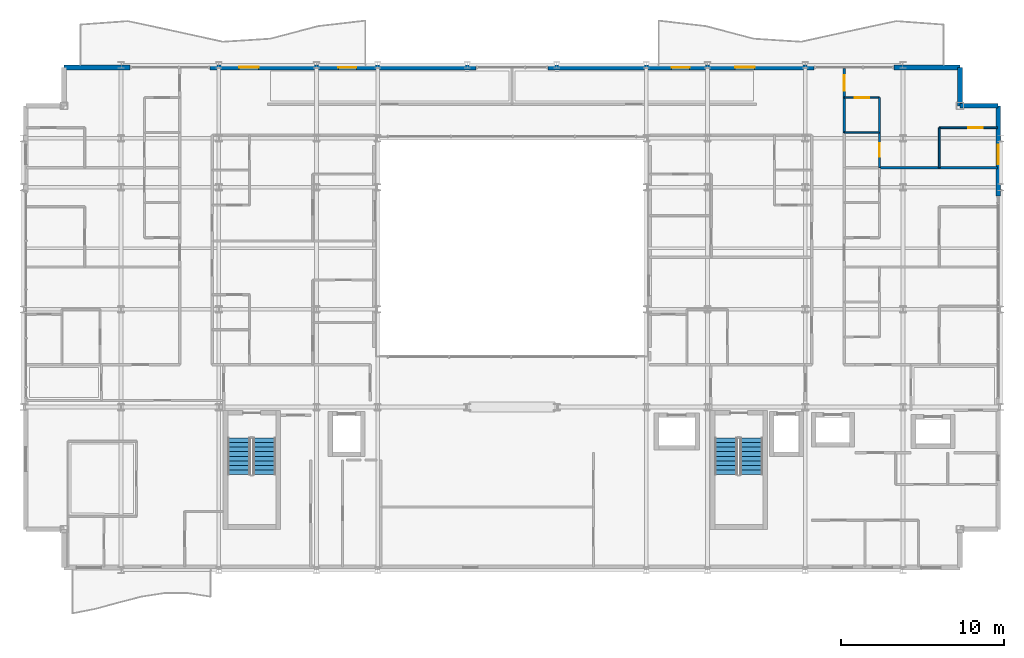
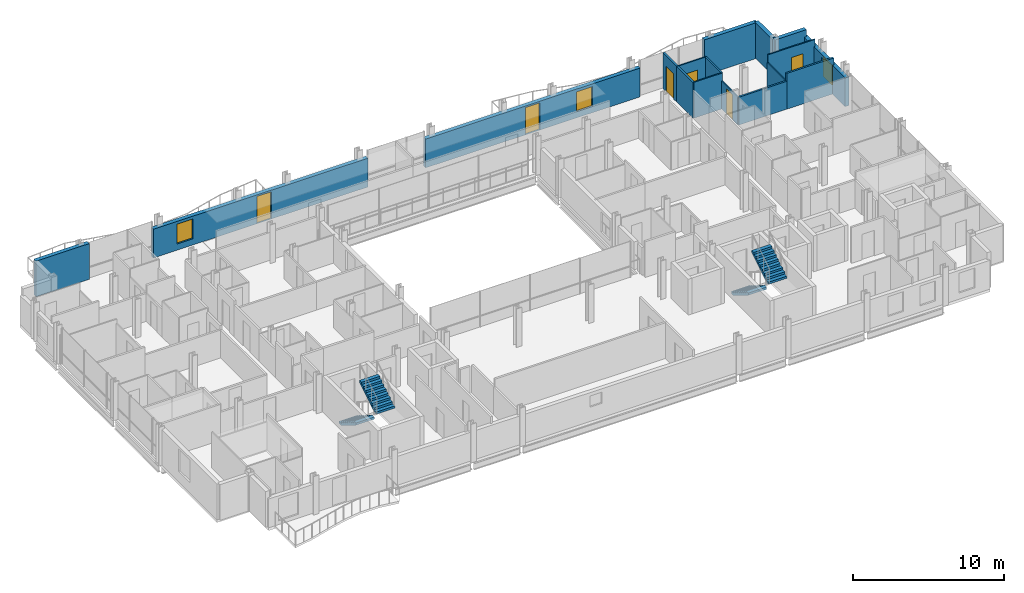
# One storey, part 37 of 41: 17 walls, 6 doors, 4 stair flights, 3 windows, 9 openings, 2 elements without a shape of their own.
"""IFC4 building model written with IfcOpenShell, lengths in metres."""

from ifc_helpers import new_model, si_unit, direction, frame, frame_2d, origin, place, context, subcontext, project, spatial, polyline, rectangle, outline, extrude, material, layer, layer_set, type_object, element, fill, aggregate, save


model = new_model("IFC4")

# Units and contexts
model_context = context("Model", 3, precision=1e-05, world=origin(), true_north=direction((0.0, 1.0)))
body_context = subcontext(model_context, "Body", "Model", "MODEL_VIEW")
ifc_project = project(units=[si_unit("LENGTHUNIT", "METRE"), si_unit("AREAUNIT", "SQUARE_METRE"), si_unit("VOLUMEUNIT", "CUBIC_METRE"), si_unit("PLANEANGLEUNIT", "RADIAN"), si_unit("MASSUNIT", "GRAM", prefix="KILO")], contexts=[model_context])

# Site, building, storey
site_placement = place(None, origin())
site = spatial("IfcSite", under=ifc_project, at=site_placement, CompositionType="ELEMENT")
building_placement = place(site_placement, origin())
building = spatial("IfcBuilding", under=site, at=building_placement, Name="Brevholm Reach", CompositionType="ELEMENT")
storey_placement = place(building_placement, frame((0.0, 0.0, 100.39990234375)))
storey = spatial("IfcBuildingStorey", under=building, at=storey_placement, Name="L29", CompositionType="ELEMENT", Elevation=100.39990234375)

# Walls
ifc_material_1 = material(Name="Concrete C40/50", Category="concrete")
ifc_layer_1 = layer(ifc_material_1, 0.300048828125)
ifc_layer_set_1 = layer_set([ifc_layer_1], Name="Concrete C40/50")
wall_type_1 = type_object("IfcWallType", Name="WAL-EXT-300", PredefinedType="STANDARD", material=ifc_layer_set_1)
for number, where, z_axis, x_axis, name in (
    (1, (59.85009765625, 28.5, 0.0), (0.0, 0.0, 1.0), (-1.0, 0.0, 0.0), "L29 Facade Wall WAL-L29-CNE1"),
    (2, (57.5, 28.5, 0.0), (0.0, 0.0, 1.0), (0.0, 1.0, 0.0), "L29 Facade Wall WAL-L29-CNE2"),
):
    element("IfcWall", number, at=place(storey_placement, frame(where, z_axis=z_axis, x_axis=x_axis)), inside=storey, type_object=wall_type_1, Name=name, PredefinedType="STANDARD", context=body_context, shape_type="SweptSolid", body=[
        extrude(rectangle(XDim=2.35009765625, YDim=0.300048828125, at=frame_2d((1.175048828125, 0.0))), origin(), (0.0, 0.0, 1.0), 2.880126953125),
    ])

# Wall, opening, window
wall_1_placement = place(storey_placement, frame((59.85009765625, 22.949951171875, 0.0), z_axis=(0.0, 0.0, 1.0), x_axis=(0.0, 1.0, 0.0)))
wall_1 = element("IfcWall", 3, at=wall_1_placement, inside=storey, type_object=wall_type_1, Name="L29 Facade Wall WAL-L29-E-N", PredefinedType="STANDARD", context=body_context, shape_type="SweptSolid", body=[
    extrude(rectangle(XDim=5.550048828125, YDim=0.300048828125, at=frame_2d((2.77490234375, 0.0))), origin(), (0.0, 0.0, 1.0), 2.322021484375),
])
opening_1_placement = place(wall_1_placement, frame((1.949951171875, 0.0, 0.501953125)))
opening_1 = element("IfcOpeningElement", 4, at=opening_1_placement, cuts=wall_1, Name="Opening WN-08", PredefinedType="OPENING", context=body_context, shape_type="SweptSolid", body=[
    extrude(rectangle(XDim=1.199951171875, YDim=1.60009765625, at=frame_2d((0.60009765625, 0.800048828125))), frame((0.0, 0.159912109375, 0.0), z_axis=(0.0, -1.0, 0.0), x_axis=(1.0, 0.0, 0.0)), (0.0, 0.0, 1.0), 0.320068359375),
])
ifc_material_2 = material(Name="Dark Anodised Aluminium and Solar-Control IGU Glass", Category="aluminium")
window_type = type_object("IfcWindowType", Name="WIN-RES-1200", PartitioningType="SINGLE_PANEL", PredefinedType="WINDOW", material=ifc_material_2)
window_1_placement = place(opening_1_placement, origin())
window_1 = element("IfcWindow", 5, at=window_1_placement, inside=storey, type_object=window_type, Name="L29 Window WIN-L29-EN-1", OverallHeight=1.60009765625, OverallWidth=1.199951171875, PartitioningType="SINGLE_PANEL", PredefinedType="WINDOW", context=body_context, shape_type="SweptSolid", body=[
    extrude(rectangle(XDim=1.199951171875, YDim=1.60009765625, at=frame_2d((0.60009765625, 0.800048828125))), frame((0.0, 0.030029296875, 0.0), z_axis=(0.0, -1.0, 0.0), x_axis=(1.0, 0.0, 0.0)), (0.0, 0.0, 1.0), 0.06005859375),
])
fill(opening_1, window_1)

# Walls
for number, where, z_axis, x_axis, name in (
    (6, (2.5, 30.85009765625, 0.0), (0.0, 0.0, 1.0), (1.0, 0.0, 0.0), "L29 Facade Wall WAL-L29-NP-W0"),
    (7, (53.449951171875, 30.85009765625, 0.0), (0.0, 0.0, 1.0), (1.0, 0.0, 0.0), "L29 Facade Wall WAL-L29-NP-E0"),
):
    element("IfcWall", number, at=place(storey_placement, frame(where, z_axis=z_axis, x_axis=x_axis)), inside=storey, type_object=wall_type_1, Name=name, PredefinedType="STANDARD", context=body_context, shape_type="SweptSolid", body=[
        extrude(rectangle(XDim=4.050048828125, YDim=0.300048828125, at=frame_2d((2.02490234375, 0.0))), origin(), (0.0, 0.0, 1.0), 2.880126953125),
    ])

# Wall, openings, door, window
wall_2_placement = place(storey_placement, frame((11.449951171875, 30.85009765625, 0.0), z_axis=(0.0, 0.0, 1.0), x_axis=(1.0, 0.0, 0.0)))
wall_2 = element("IfcWall", 8, at=wall_2_placement, inside=storey, type_object=wall_type_1, Name="L29 Facade Wall WAL-L29-NP-WL", PredefinedType="STANDARD", context=body_context, shape_type="SweptSolid", body=[
    extrude(rectangle(XDim=16.35009765625, YDim=0.300048828125, at=frame_2d((8.175048828125, 0.0))), origin(), (0.0, 0.0, 1.0), 2.322021484375),
])
opening_2_placement = place(wall_2_placement, frame((7.89794921875, 0.0, 0.0)))
opening_2 = element("IfcOpeningElement", 9, at=opening_2_placement, cuts=wall_2, Name="Opening BD-01", PredefinedType="OPENING", context=body_context, shape_type="SweptSolid", body=[
    extrude(rectangle(XDim=1.10009765625, YDim=2.199951171875, at=frame_2d((0.550048828125, 1.10009765625))), frame((0.0, 0.159912109375, 0.0), z_axis=(0.0, -1.0, 0.0), x_axis=(1.0, 0.0, 0.0)), (0.0, 0.0, 1.0), 0.320068359375),
])
opening_3_placement = place(wall_2_placement, frame((1.800048828125, 0.0, 0.501953125)))
opening_3 = element("IfcOpeningElement", 10, at=opening_3_placement, cuts=wall_2, Name="Opening WN-08", PredefinedType="OPENING", context=body_context, shape_type="SweptSolid", body=[
    extrude(rectangle(XDim=1.199951171875, YDim=1.60009765625, at=frame_2d((0.60009765625, 0.800048828125))), frame((0.0, 0.159912109375, 0.0), z_axis=(0.0, -1.0, 0.0), x_axis=(1.0, 0.0, 0.0)), (0.0, 0.0, 1.0), 0.320068359375),
])
ifc_material_3 = material(Name="Dark Anodised Aluminium and Triple-Glazed Glass", Category="aluminium")
door_type_1 = type_object("IfcDoorType", Name="DOR-BALC-1100", OperationType="NOTDEFINED", PredefinedType="DOOR", material=ifc_material_3)
door_1_placement = place(opening_2_placement, origin())
door_1 = element("IfcDoor", 11, at=door_1_placement, inside=storey, type_object=door_type_1, Name="L29 Exterior Door DOR-L29-BL-NW", OperationType="SINGLE_SWING_RIGHT", OverallHeight=2.199951171875, OverallWidth=1.10009765625, PredefinedType="DOOR", context=body_context, shape_type="SweptSolid", body=[
    extrude(rectangle(XDim=1.10009765625, YDim=2.199951171875, at=frame_2d((0.550048828125, 1.10009765625))), frame((0.0, 0.02490234375, 0.0), z_axis=(0.0, -1.0, 0.0), x_axis=(1.0, 0.0, 0.0)), (0.0, 0.0, 1.0), 0.050048828125),
])
fill(opening_2, door_1)
window_2_placement = place(opening_3_placement, origin())
window_2 = element("IfcWindow", 12, at=window_2_placement, inside=storey, type_object=window_type, Name="L29 Window WIN-L29-NP-WL1", OverallHeight=1.60009765625, OverallWidth=1.199951171875, PartitioningType="SINGLE_PANEL", PredefinedType="WINDOW", context=body_context, shape_type="SweptSolid", body=[
    extrude(rectangle(XDim=1.199951171875, YDim=1.60009765625, at=frame_2d((0.60009765625, 0.800048828125))), frame((0.0, 0.030029296875, 0.0), z_axis=(0.0, -1.0, 0.0), x_axis=(1.0, 0.0, 0.0)), (0.0, 0.0, 1.0), 0.06005859375),
])
fill(opening_3, window_2)

wall_3_placement = place(storey_placement, frame((32.199951171875, 30.85009765625, 0.0), z_axis=(0.0, 0.0, 1.0), x_axis=(1.0, 0.0, 0.0)))
wall_3 = element("IfcWall", 13, at=wall_3_placement, inside=storey, type_object=wall_type_1, Name="L29 Facade Wall WAL-L29-NP-ER", PredefinedType="STANDARD", context=body_context, shape_type="SweptSolid", body=[
    extrude(rectangle(XDim=16.35009765625, YDim=0.300048828125, at=frame_2d((8.175048828125, 0.0))), origin(), (0.0, 0.0, 1.0), 2.322021484375),
])
opening_4_placement = place(wall_3_placement, frame((7.60009765625, 0.0, 0.0)))
opening_4 = element("IfcOpeningElement", 14, at=opening_4_placement, cuts=wall_3, Name="Opening BD-01", PredefinedType="OPENING", context=body_context, shape_type="SweptSolid", body=[
    extrude(rectangle(XDim=1.10009765625, YDim=2.199951171875, at=frame_2d((0.550048828125, 1.10009765625))), frame((0.0, 0.159912109375, 0.0), z_axis=(0.0, -1.0, 0.0), x_axis=(1.0, 0.0, 0.0)), (0.0, 0.0, 1.0), 0.320068359375),
])
opening_5_placement = place(wall_3_placement, frame((11.5, 0.0, 0.501953125)))
opening_5 = element("IfcOpeningElement", 15, at=opening_5_placement, cuts=wall_3, Name="Opening WN-08", PredefinedType="OPENING", context=body_context, shape_type="SweptSolid", body=[
    extrude(rectangle(XDim=1.199951171875, YDim=1.60009765625, at=frame_2d((0.60009765625, 0.800048828125))), frame((0.0, 0.159912109375, 0.0), z_axis=(0.0, -1.0, 0.0), x_axis=(1.0, 0.0, 0.0)), (0.0, 0.0, 1.0), 0.320068359375),
])
door_2_placement = place(opening_4_placement, origin())
door_2 = element("IfcDoor", 16, at=door_2_placement, inside=storey, type_object=door_type_1, Name="L29 Exterior Door DOR-L29-BL-NE", OperationType="SINGLE_SWING_LEFT", OverallHeight=2.199951171875, OverallWidth=1.10009765625, PredefinedType="DOOR", context=body_context, shape_type="SweptSolid", body=[
    extrude(rectangle(XDim=1.10009765625, YDim=2.199951171875, at=frame_2d((0.550048828125, 1.10009765625))), frame((0.0, 0.02490234375, 0.0), z_axis=(0.0, -1.0, 0.0), x_axis=(1.0, 0.0, 0.0)), (0.0, 0.0, 1.0), 0.050048828125),
])
fill(opening_4, door_2)
window_3_placement = place(opening_5_placement, origin())
window_3 = element("IfcWindow", 17, at=window_3_placement, inside=storey, type_object=window_type, Name="L29 Window WIN-L29-NP-ER1", OverallHeight=1.60009765625, OverallWidth=1.199951171875, PartitioningType="SINGLE_PANEL", PredefinedType="WINDOW", context=body_context, shape_type="SweptSolid", body=[
    extrude(rectangle(XDim=1.199951171875, YDim=1.60009765625, at=frame_2d((0.60009765625, 0.800048828125))), frame((0.0, 0.030029296875, 0.0), z_axis=(0.0, -1.0, 0.0), x_axis=(1.0, 0.0, 0.0)), (0.0, 0.0, 1.0), 0.06005859375),
])
fill(opening_5, window_3)

# Wall
ifc_material_4 = material(Name="Moisture-Resistant Acoustic Gypsum Stud Partition 100 mm", Category="gypsum")
ifc_layer_2 = layer(ifc_material_4, 0.10009765625)
ifc_layer_set_2 = layer_set([ifc_layer_2], Name="Moisture-Resistant Acoustic Gypsum Stud Partition 100 mm")
wall_type_2 = type_object("IfcWallType", Name="WAL-PRT-100", PredefinedType="PARTITIONING", material=ifc_layer_set_2)
wall_4_placement = place(storey_placement, frame((50.404052734375, 26.85009765625, 0.0), z_axis=(0.0, 0.0, 1.0), x_axis=(1.0, 0.0, 0.0)))
element("IfcWall", 18, at=wall_4_placement, inside=storey, type_object=wall_type_2, Name="L29 Internal Partition 158", PredefinedType="PARTITIONING", context=body_context, shape_type="SweptSolid", body=[
    extrude(rectangle(XDim=2.157958984375, YDim=0.10009765625, at=frame_2d((1.0791015625, 0.0))), origin(), (0.0, 0.0, 1.0), 2.880126953125),
])

# Wall, opening, door
wall_5_placement = place(storey_placement, frame((52.56201171875, 24.7041015625, 0.0), z_axis=(0.0, 0.0, 1.0), x_axis=(0.0, 1.0, 0.0)))
wall_5 = element("IfcWall", 19, at=wall_5_placement, inside=storey, type_object=wall_type_2, Name="L29 Internal Partition 159", PredefinedType="PARTITIONING", context=body_context, shape_type="SweptSolid", body=[
    extrude(rectangle(XDim=2.14599609375, YDim=0.10009765625, at=frame_2d((1.072998046875, 0.0))), origin(), (0.0, 0.0, 1.0), 2.242919921875),
])
opening_6_placement = place(wall_5_placement, frame((0.6630859375, 0.0, 0.0)))
opening_6 = element("IfcOpeningElement", 20, at=opening_6_placement, cuts=wall_5, Name="Opening ID-03", PredefinedType="OPENING", context=body_context, shape_type="SweptSolid", body=[
    extrude(rectangle(XDim=0.820068359375, YDim=2.02001953125, at=frame_2d((0.41015625, 1.010009765625))), frame((0.0, 0.06005859375, 0.0), z_axis=(0.0, -1.0, 0.0), x_axis=(1.0, 0.0, 0.0)), (0.0, 0.0, 1.0), 0.1201171875),
])
ifc_material_5 = material(Name="Moisture-Resistant Painted Timber Internal Bathroom Door", Category="wood")
door_type_2 = type_object("IfcDoorType", Name="DOR-BATH-820", OperationType="NOTDEFINED", PredefinedType="DOOR", material=ifc_material_5)
door_3_placement = place(opening_6_placement, origin())
door_3 = element("IfcDoor", 21, at=door_3_placement, inside=storey, type_object=door_type_2, Name="L29 Internal Door 059", OperationType="SINGLE_SWING_RIGHT", OverallHeight=2.02001953125, OverallWidth=0.820068359375, PredefinedType="DOOR", context=body_context, shape_type="SweptSolid", body=[
    extrude(rectangle(XDim=0.820068359375, YDim=2.02001953125, at=frame_2d((0.41015625, 1.010009765625))), frame((0.0, 0.02490234375, 0.0), z_axis=(0.0, -1.0, 0.0), x_axis=(1.0, 0.0, 0.0)), (0.0, 0.0, 1.0), 0.050048828125),
])
fill(opening_6, door_3)

# Wall
wall_6_placement = place(storey_placement, frame((52.56201171875, 26.85400390625, 0.0), z_axis=(0.0, 0.0, 1.0), x_axis=(0.0, 1.0, 0.0)))
element("IfcWall", 22, at=wall_6_placement, inside=storey, type_object=wall_type_2, Name="L29 Internal Partition 160", PredefinedType="PARTITIONING", context=body_context, shape_type="SweptSolid", body=[
    extrude(rectangle(XDim=2.14599609375, YDim=0.10009765625, at=frame_2d((1.072998046875, 0.0))), origin(), (0.0, 0.0, 1.0), 2.880126953125),
])

# Wall, opening, door
wall_7_placement = place(storey_placement, frame((50.404052734375, 29.0, 0.0), z_axis=(0.0, 0.0, 1.0), x_axis=(1.0, 0.0, 0.0)))
wall_7 = element("IfcWall", 23, at=wall_7_placement, inside=storey, type_object=wall_type_2, Name="L29 Internal Partition 161", PredefinedType="PARTITIONING", context=body_context, shape_type="SweptSolid", body=[
    extrude(rectangle(XDim=2.157958984375, YDim=0.10009765625, at=frame_2d((1.0791015625, 0.0))), origin(), (0.0, 0.0, 1.0), 2.880126953125),
])
opening_7_placement = place(wall_7_placement, frame((0.638916015625, 0.0, 0.0)))
opening_7 = element("IfcOpeningElement", 24, at=opening_7_placement, cuts=wall_7, Name="Opening ID-01", PredefinedType="OPENING", context=body_context, shape_type="SweptSolid", body=[
    extrude(rectangle(XDim=0.8798828125, YDim=2.0400390625, at=frame_2d((0.43994140625, 1.02001953125))), frame((0.0, 0.06005859375, 0.0), z_axis=(0.0, -1.0, 0.0), x_axis=(1.0, 0.0, 0.0)), (0.0, 0.0, 1.0), 0.1201171875),
])
ifc_material_6 = material(Name="Lacquered Ash Solid-Core Acoustic Internal Door", Category="timber")
door_type_3 = type_object("IfcDoorType", Name="DOR-INT-880", OperationType="NOTDEFINED", PredefinedType="DOOR", material=ifc_material_6)
door_4_placement = place(opening_7_placement, origin())
door_4 = element("IfcDoor", 25, at=door_4_placement, inside=storey, type_object=door_type_3, Name="L29 Internal Door 060", OperationType="SINGLE_SWING_LEFT", OverallHeight=2.0400390625, OverallWidth=0.8798828125, PredefinedType="DOOR", context=body_context, shape_type="SweptSolid", body=[
    extrude(rectangle(XDim=0.8798828125, YDim=2.0400390625, at=frame_2d((0.43994140625, 1.02001953125))), frame((0.0, 0.02490234375, 0.0), z_axis=(0.0, -1.0, 0.0), x_axis=(1.0, 0.0, 0.0)), (0.0, 0.0, 1.0), 0.050048828125),
])
fill(opening_7, door_4)

wall_8_placement = place(storey_placement, frame((56.22802734375, 27.14990234375, 0.0), z_axis=(0.0, 0.0, 1.0), x_axis=(1.0, 0.0, 0.0)))
wall_8 = element("IfcWall", 26, at=wall_8_placement, inside=storey, type_object=wall_type_2, Name="L29 Internal Partition 162", PredefinedType="PARTITIONING", context=body_context, shape_type="SweptSolid", body=[
    extrude(rectangle(XDim=3.572021484375, YDim=0.10009765625, at=frame_2d((1.7861328125, 0.0))), origin(), (0.0, 0.0, 1.0), 2.880126953125),
])
opening_8_placement = place(wall_8_placement, frame((1.785888671875, 0.0, 0.0)))
opening_8 = element("IfcOpeningElement", 27, at=opening_8_placement, cuts=wall_8, Name="Opening ID-01", PredefinedType="OPENING", context=body_context, shape_type="SweptSolid", body=[
    extrude(rectangle(XDim=0.8798828125, YDim=2.0400390625, at=frame_2d((0.43994140625, 1.02001953125))), frame((0.0, 0.06005859375, 0.0), z_axis=(0.0, -1.0, 0.0), x_axis=(1.0, 0.0, 0.0)), (0.0, 0.0, 1.0), 0.1201171875),
])
door_5_placement = place(opening_8_placement, origin())
door_5 = element("IfcDoor", 28, at=door_5_placement, inside=storey, type_object=door_type_3, Name="L29 Internal Door 061", OperationType="SINGLE_SWING_RIGHT", OverallHeight=2.0400390625, OverallWidth=0.8798828125, PredefinedType="DOOR", context=body_context, shape_type="SweptSolid", body=[
    extrude(rectangle(XDim=0.8798828125, YDim=2.0400390625, at=frame_2d((0.43994140625, 1.02001953125))), frame((0.0, 0.02490234375, 0.0), z_axis=(0.0, -1.0, 0.0), x_axis=(1.0, 0.0, 0.0)), (0.0, 0.0, 1.0), 0.050048828125),
])
fill(opening_8, door_5)

# Walls
wall_9_placement = place(storey_placement, frame((56.22802734375, 24.7041015625, 0.0), z_axis=(0.0, 0.0, 1.0), x_axis=(0.0, 1.0, 0.0)))
element("IfcWall", 29, at=wall_9_placement, inside=storey, type_object=wall_type_2, Name="L29 Internal Partition 163", PredefinedType="PARTITIONING", context=body_context, shape_type="SweptSolid", body=[
    extrude(rectangle(XDim=2.44580078125, YDim=0.10009765625, at=frame_2d((1.222900390625, 0.0))), origin(), (0.0, 0.0, 1.0), 2.242919921875),
])
ifc_material_7 = material(Name="Twin-Stud Acoustic Fire-Rated Gypsum Partition 140 mm", Category="gypsum")
ifc_layer_3 = layer(ifc_material_7, 0.139892578125)
ifc_layer_set_3 = layer_set([ifc_layer_3], Name="Twin-Stud Acoustic Fire-Rated Gypsum Partition 140 mm")
wall_type_3 = type_object("IfcWallType", Name="WAL-PRT-140", PredefinedType="PARTITIONING", material=ifc_layer_set_3)
wall_10_placement = place(storey_placement, frame((50.39990234375, 26.8427734375, 0.0), z_axis=(0.0, 0.0, 1.0), x_axis=(0.0, 1.0, 0.0)))
element("IfcWall", 30, at=wall_10_placement, inside=storey, type_object=wall_type_3, Name="L29 Internal Partition 055", PredefinedType="PARTITIONING", context=body_context, shape_type="SweptSolid", body=[
    extrude(rectangle(XDim=2.16845703125, YDim=0.139892578125, at=frame_2d((1.084228515625, 0.0))), origin(), (0.0, 0.0, 1.0), 2.880126953125),
])

# Wall, opening, door
wall_11_placement = place(storey_placement, frame((50.39990234375, 28.99267578125, 0.0), z_axis=(0.0, 0.0, 1.0), x_axis=(0.0, 1.0, 0.0)))
wall_11 = element("IfcWall", 31, at=wall_11_placement, inside=storey, type_object=wall_type_3, Name="L29 Internal Partition 056", PredefinedType="PARTITIONING", context=body_context, shape_type="SweptSolid", body=[
    extrude(rectangle(XDim=1.807373046875, YDim=0.139892578125, at=frame_2d((0.90380859375, 0.0))), origin(), (0.0, 0.0, 1.0), 2.880126953125),
])
opening_9_placement = place(wall_11_placement, frame((0.4287109375, 0.0, 0.0)))
opening_9 = element("IfcOpeningElement", 32, at=opening_9_placement, cuts=wall_11, Name="Opening ID-30", PredefinedType="OPENING", context=body_context, shape_type="SweptSolid", body=[
    extrude(rectangle(XDim=0.949951171875, YDim=2.050048828125, at=frame_2d((0.47509765625, 1.02490234375))), frame((0.0, 0.079833984375, 0.0), z_axis=(0.0, -1.0, 0.0), x_axis=(1.0, 0.0, 0.0)), (0.0, 0.0, 1.0), 0.159912109375),
])
ifc_material_8 = material(Name="European Oak Veneered Solid-Core Fire Entrance Door", Category="timber")
door_type_4 = type_object("IfcDoorType", Name="DOR-FLT-FD30S", OperationType="NOTDEFINED", PredefinedType="DOOR", material=ifc_material_8)
door_6_placement = place(opening_9_placement, origin())
door_6 = element("IfcDoor", 33, at=door_6_placement, inside=storey, type_object=door_type_4, Name="L29 Internal Door 022", OperationType="SINGLE_SWING_LEFT", OverallHeight=2.050048828125, OverallWidth=0.949951171875, PredefinedType="DOOR", context=body_context, shape_type="SweptSolid", body=[
    extrude(rectangle(XDim=0.949951171875, YDim=2.050048828125, at=frame_2d((0.47509765625, 1.02490234375))), frame((0.0, 0.02490234375, 0.0), z_axis=(0.0, -1.0, 0.0), x_axis=(1.0, 0.0, 0.0)), (0.0, 0.0, 1.0), 0.050048828125),
])
fill(opening_9, door_6)

# Walls
wall_12_placement = place(storey_placement, frame((56.216796875, 24.699951171875, 0.0), z_axis=(0.0, 0.0, 1.0), x_axis=(1.0, 0.0, 0.0)))
element("IfcWall", 34, at=wall_12_placement, inside=storey, type_object=wall_type_3, Name="L29 Internal Partition 156", PredefinedType="PARTITIONING", context=body_context, shape_type="SweptSolid", body=[
    extrude(rectangle(XDim=3.583251953125, YDim=0.139892578125, at=frame_2d((1.79150390625, 0.0))), origin(), (0.0, 0.0, 1.0), 2.880126953125),
])
wall_13_placement = place(storey_placement, frame((52.56591796875, 24.699951171875, 0.0), z_axis=(0.0, 0.0, 1.0), x_axis=(1.0, 0.0, 0.0)))
element("IfcWall", 35, at=wall_13_placement, inside=storey, type_object=wall_type_3, Name="L29 Internal Partition 157", PredefinedType="PARTITIONING", context=body_context, shape_type="SweptSolid", body=[
    extrude(rectangle(XDim=3.66943359375, YDim=0.139892578125, at=frame_2d((1.834716796875, 0.0))), origin(), (0.0, 0.0, 1.0), 2.242919921875),
])

# Stair, stair flights
ifc_material_9 = material(Name="Precast Concrete C40/50", Category="concrete")
stair_type = type_object("IfcStairType", Name="STR-ESC-1400", PredefinedType="DOUBLE_RETURN_STAIR", material=ifc_material_9)
stair_1_placement = place(storey_placement, origin())
stair_1 = element("IfcStair", 36, at=stair_1_placement, inside=storey, type_object=stair_type, Name="L29 ST-1", PredefinedType="DOUBLE_RETURN_STAIR")
ifc_material_10 = material(Name="Precast Concrete C40/50", Category="concrete")
ifc_layer_4 = layer(ifc_material_10, 0.18505859375)
ifc_layer_set_4 = layer_set([ifc_layer_4], Name="Precast Concrete C40/50")
stair_flight_type = type_object("IfcStairFlightType", Name="STF-PRC-185", PredefinedType="STRAIGHT", material=ifc_layer_set_4)
stair_flight_1_placement = place(storey_placement, frame((13.25, 8.10009765625, 0.0), z_axis=(0.0, 0.0, 1.0), x_axis=(0.0, -1.0, 0.0)))
stair_flight_1 = element("IfcStairFlight", 37, at=stair_flight_1_placement, type_object=stair_flight_type, Name="ST-1 flight 1", NumberOfRisers=9, NumberOfTreads=8, PredefinedType="STRAIGHT", RiserHeight=0.172222222, TreadLength=0.28, context=body_context, shape_type="SweptSolid", body=[
    extrude(outline(polyline([(0.0, 0.0), (0.0, 0.172119140625), (0.280029296875, 0.172119140625), (0.280029296875, 0.344482421875), (0.56005859375, 0.344482421875), (0.56005859375, 0.5166015625), (0.840087890625, 0.5166015625), (0.840087890625, 0.68896484375), (1.1201171875, 0.68896484375), (1.1201171875, 0.861083984375), (1.39990234375, 0.861083984375), (1.39990234375, 1.033447265625), (1.679931640625, 1.033447265625), (1.679931640625, 1.20556640625), (1.9599609375, 1.20556640625), (1.9599609375, 1.377685546875), (2.239990234375, 1.377685546875), (2.239990234375, 1.550048828125), (2.239990234375, 1.201904296875), (0.2861328125, 0.0), (0.0, 0.0)])), frame((0.0, 0.699951171875, 0.0), z_axis=(0.0, -1.0, 0.0), x_axis=(1.0, 0.0, 0.0)), (0.0, 0.0, 1.0), 1.39990234375),
])
stair_flight_2_placement = place(storey_placement, frame((14.800048828125, 5.860107421875, 1.550048828125), z_axis=(0.0, 0.0, 1.0), x_axis=(0.0, 1.0, 0.0)))
stair_flight_2 = element("IfcStairFlight", 38, at=stair_flight_2_placement, type_object=stair_flight_type, Name="ST-1 flight 2", NumberOfRisers=9, NumberOfTreads=8, PredefinedType="STRAIGHT", RiserHeight=0.172222222, TreadLength=0.28, context=body_context, shape_type="SweptSolid", body=[
    extrude(outline(polyline([(0.0, 0.0), (0.0, 0.172119140625), (0.280029296875, 0.172119140625), (0.280029296875, 0.344482421875), (0.56005859375, 0.344482421875), (0.56005859375, 0.5166015625), (0.840087890625, 0.5166015625), (0.840087890625, 0.68896484375), (1.1201171875, 0.68896484375), (1.1201171875, 0.861083984375), (1.39990234375, 0.861083984375), (1.39990234375, 1.033447265625), (1.679931640625, 1.033447265625), (1.679931640625, 1.20556640625), (1.9599609375, 1.20556640625), (1.9599609375, 1.377685546875), (2.239990234375, 1.377685546875), (2.239990234375, 1.550048828125), (2.239990234375, 1.201904296875), (0.2861328125, 0.0), (0.0, 0.0)])), frame((0.0, 0.699951171875, 0.0), z_axis=(0.0, -1.0, 0.0), x_axis=(1.0, 0.0, 0.0)), (0.0, 0.0, 1.0), 1.39990234375),
])
aggregate(stair_1, [stair_flight_1, stair_flight_2])

stair_2_placement = place(storey_placement, origin())
stair_2 = element("IfcStair", 39, at=stair_2_placement, inside=storey, type_object=stair_type, Name="L29 ST-2", PredefinedType="DOUBLE_RETURN_STAIR")
stair_flight_3_placement = place(storey_placement, frame((43.14990234375, 8.10009765625, 0.0), z_axis=(0.0, 0.0, 1.0), x_axis=(0.0, -1.0, 0.0)))
stair_flight_3 = element("IfcStairFlight", 40, at=stair_flight_3_placement, type_object=stair_flight_type, Name="ST-2 flight 1", NumberOfRisers=9, NumberOfTreads=8, PredefinedType="STRAIGHT", RiserHeight=0.172222222, TreadLength=0.28, context=body_context, shape_type="SweptSolid", body=[
    extrude(outline(polyline([(0.0, 0.0), (0.0, 0.172119140625), (0.280029296875, 0.172119140625), (0.280029296875, 0.344482421875), (0.56005859375, 0.344482421875), (0.56005859375, 0.5166015625), (0.840087890625, 0.5166015625), (0.840087890625, 0.68896484375), (1.1201171875, 0.68896484375), (1.1201171875, 0.861083984375), (1.39990234375, 0.861083984375), (1.39990234375, 1.033447265625), (1.679931640625, 1.033447265625), (1.679931640625, 1.20556640625), (1.9599609375, 1.20556640625), (1.9599609375, 1.377685546875), (2.239990234375, 1.377685546875), (2.239990234375, 1.550048828125), (2.239990234375, 1.201904296875), (0.2861328125, 0.0), (0.0, 0.0)])), frame((0.0, 0.699951171875, 0.0), z_axis=(0.0, -1.0, 0.0), x_axis=(1.0, 0.0, 0.0)), (0.0, 0.0, 1.0), 1.39990234375),
])
stair_flight_4_placement = place(storey_placement, frame((44.699951171875, 5.860107421875, 1.550048828125), z_axis=(0.0, 0.0, 1.0), x_axis=(0.0, 1.0, 0.0)))
stair_flight_4 = element("IfcStairFlight", 41, at=stair_flight_4_placement, type_object=stair_flight_type, Name="ST-2 flight 2", NumberOfRisers=9, NumberOfTreads=8, PredefinedType="STRAIGHT", RiserHeight=0.172222222, TreadLength=0.28, context=body_context, shape_type="SweptSolid", body=[
    extrude(outline(polyline([(0.0, 0.0), (0.0, 0.172119140625), (0.280029296875, 0.172119140625), (0.280029296875, 0.344482421875), (0.56005859375, 0.344482421875), (0.56005859375, 0.5166015625), (0.840087890625, 0.5166015625), (0.840087890625, 0.68896484375), (1.1201171875, 0.68896484375), (1.1201171875, 0.861083984375), (1.39990234375, 0.861083984375), (1.39990234375, 1.033447265625), (1.679931640625, 1.033447265625), (1.679931640625, 1.20556640625), (1.9599609375, 1.20556640625), (1.9599609375, 1.377685546875), (2.239990234375, 1.377685546875), (2.239990234375, 1.550048828125), (2.239990234375, 1.201904296875), (0.2861328125, 0.0), (0.0, 0.0)])), frame((0.0, 0.699951171875, 0.0), z_axis=(0.0, -1.0, 0.0), x_axis=(1.0, 0.0, 0.0)), (0.0, 0.0, 1.0), 1.39990234375),
])
aggregate(stair_2, [stair_flight_3, stair_flight_4])

save(model, "model.ifc")
